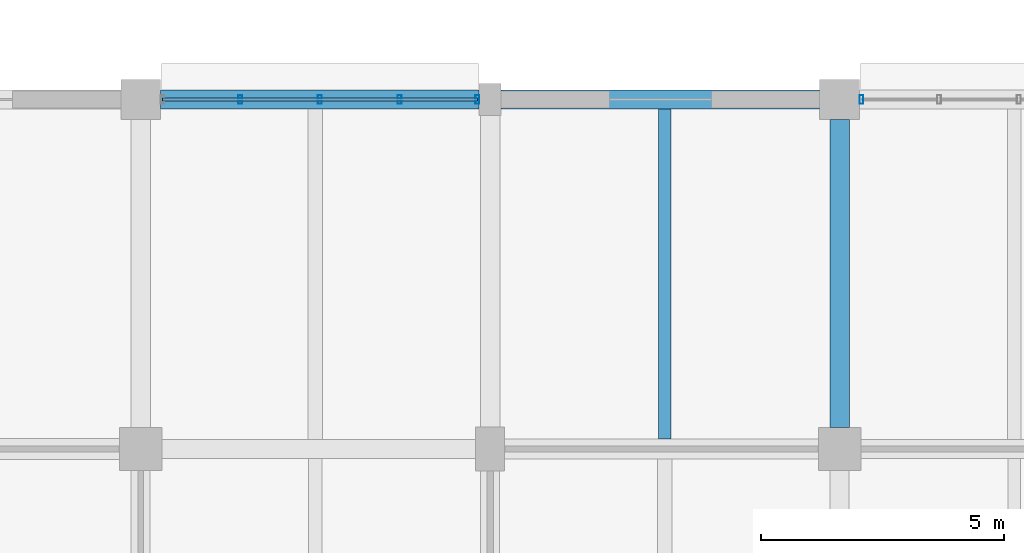
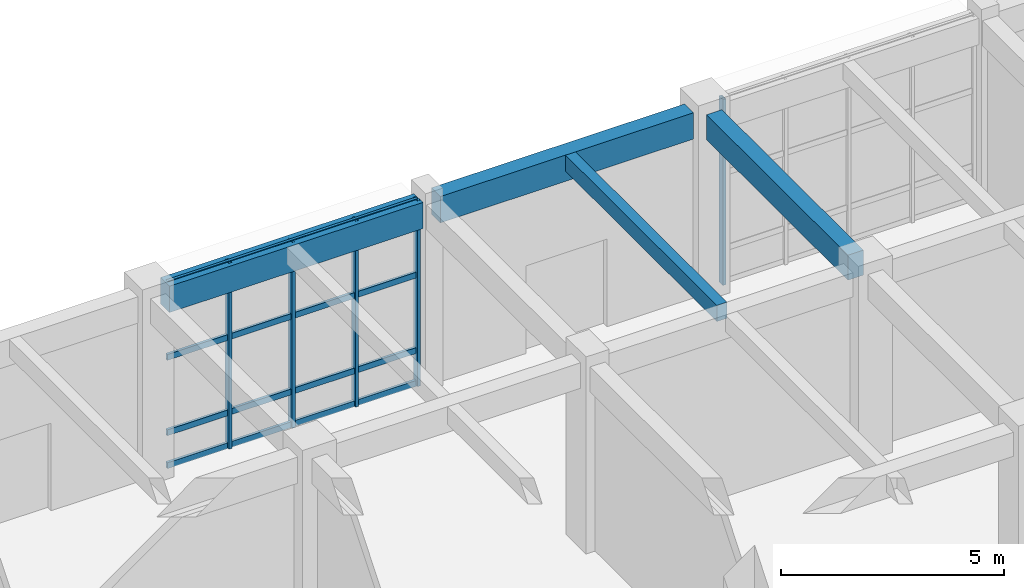
# One storey, part 90 of 160: 9 members, 4 beams, 2 elements without a shape of their own.
"""IFC4 building model written with IfcOpenShell, lengths in metres."""

from ifc_helpers import new_model, si_unit, direction, frame, origin, origin_2d, place, context, subcontext, project, spatial, rectangle, hollow_rectangle, extrude, material, material_profile, profile_set, type_object, element, aggregate, save


model = new_model("IFC4")

# Units and contexts
model_context = context("Model", 3, precision=1e-05, world=origin(), true_north=direction((0.0, 1.0)))
body_context = subcontext(model_context, "Body", "Model", "MODEL_VIEW")
ifc_project = project(units=[si_unit("LENGTHUNIT", "METRE"), si_unit("AREAUNIT", "SQUARE_METRE"), si_unit("VOLUMEUNIT", "CUBIC_METRE"), si_unit("PLANEANGLEUNIT", "RADIAN"), si_unit("MASSUNIT", "GRAM", prefix="KILO")], contexts=[model_context])

# Site, building, storey
site_placement = place(None, origin())
site = spatial("IfcSite", under=ifc_project, at=site_placement, CompositionType="ELEMENT")
building_placement = place(site_placement, origin())
building = spatial("IfcBuilding", under=site, at=building_placement, Name="Thalmaran Polytechnic", CompositionType="ELEMENT")
storey_placement = place(building_placement, origin())
storey = spatial("IfcBuildingStorey", under=building, at=storey_placement, Name="L00", CompositionType="ELEMENT", Elevation=0.0)

# Beams
ifc_material_1 = material(Name="Concrete C40/50", Category="concrete")
ifc_material_profile_1 = material_profile(ifc_material_1, rectangle(XDim=0.39990234375, YDim=0.719970703125, at=origin_2d()), Name="RC 400x720")
ifc_profile_set_1 = profile_set([ifc_material_profile_1], Name="Concrete C40/50")
beam_type_1 = type_object("IfcBeamType", Name="BM-SP01", PredefinedType="SPANDREL", material=ifc_profile_set_1)
beam_1_placement = place(storey_placement, frame((108.409912109375, 122.39990234375, 4.72998046875), z_axis=(1.0, 0.0, 0.0), x_axis=(0.0, 1.0, 0.0)))
element("IfcBeam", 1, at=beam_1_placement, inside=storey, type_object=beam_type_1, Name="Grid Beam SP01 L00 X(15,17)", PredefinedType="SPANDREL", context=body_context, shape_type="SweptSolid", body=[
    extrude(rectangle(XDim=0.39990234375, YDim=0.719970703125, at=origin_2d()), origin(), (0.0, 0.0, 1.0), 6.565185546875),
])
beam_2_placement = place(storey_placement, frame((115.425048828125, 122.39990234375, 4.72998046875), z_axis=(1.0, 0.0, 0.0), x_axis=(0.0, 1.0, 0.0)))
element("IfcBeam", 2, at=beam_2_placement, inside=storey, type_object=beam_type_1, Name="Grid Beam SP01 L00 X(16,17)", PredefinedType="SPANDREL", context=body_context, shape_type="SweptSolid", body=[
    extrude(rectangle(XDim=0.39990234375, YDim=0.719970703125, at=origin_2d()), origin(), (0.0, 0.0, 1.0), 6.56494140625),
])
ifc_material_profile_2 = material_profile(ifc_material_1, rectangle(XDim=0.39990234375, YDim=0.68505859375, at=origin_2d()), Name="RC 400x685")
ifc_profile_set_2 = profile_set([ifc_material_profile_2], Name="Concrete C40/50")
beam_type_2 = type_object("IfcBeamType", Name="BM-ZB07", PredefinedType="BEAM", material=ifc_profile_set_2)
beam_3_placement = place(storey_placement, frame((122.39990234375, 115.639892578125, 4.74755859375), z_axis=(0.0, 1.0, 0.0), x_axis=(-1.0, 0.0, 0.0)))
element("IfcBeam", 3, at=beam_3_placement, inside=storey, type_object=beam_type_2, Name="Grid Beam ZB07 L00 Y(17,16)", PredefinedType="BEAM", context=body_context, shape_type="SweptSolid", body=[
    extrude(rectangle(XDim=0.39990234375, YDim=0.68505859375, at=origin_2d()), origin(), (0.0, 0.0, 1.0), 6.35009765625),
])
ifc_material_profile_3 = material_profile(ifc_material_1, rectangle(XDim=0.260009765625, YDim=0.43994140625, at=origin_2d()), Name="RC 260x440")
ifc_profile_set_3 = profile_set([ifc_material_profile_3], Name="Concrete C40/50")
beam_type_3 = type_object("IfcBeamType", Name="BM-ZJ02", PredefinedType="JOIST", material=ifc_profile_set_3)
beam_4_placement = place(storey_placement, frame((118.800048828125, 115.409912109375, 4.8701171875), z_axis=(0.0, 1.0, 0.0), x_axis=(-1.0, 0.0, 0.0)))
element("IfcBeam", 4, at=beam_4_placement, inside=storey, type_object=beam_type_3, Name="Secondary Floor Rib ZJ02 L00 (16,16)", PredefinedType="JOIST", context=body_context, shape_type="SweptSolid", body=[
    extrude(rectangle(XDim=0.260009765625, YDim=0.43994140625, at=origin_2d()), origin(), (0.0, 0.0, 1.0), 6.7900390625),
])

# Curtain wall, members
ifc_material_2 = material(Name="Aluminium 6063-T6", Category="aluminium")
curtain_wall_type = type_object("IfcCurtainWallType", Name="CW-UC01", PredefinedType="USERDEFINED", material=ifc_material_2)
curtain_wall_1_placement = place(storey_placement, origin())
curtain_wall_1 = element("IfcCurtainWall", 5, at=curtain_wall_1_placement, inside=storey, type_object=curtain_wall_type, Name="Curtain Wall CW-L00-009", ObjectType="UNITISED CURTAIN WALL", PredefinedType="USERDEFINED")
ifc_material_profile_4 = material_profile(ifc_material_2, hollow_rectangle(XDim=0.080078125, YDim=0.179931640625, WallThickness=0.0048828125, at=origin_2d()), Name="RHS 180x80x5.0")
ifc_profile_set_4 = profile_set([ifc_material_profile_4], Name="Aluminium 6063-T6")
member_type_1 = type_object("IfcMemberType", Name="CW-MUL1", PredefinedType="MULLION", material=ifc_profile_set_4)
member_1_placement = place(storey_placement, frame((110.05126953125, 122.39990234375, 0.0), z_axis=(0.0, 0.0, 1.0), x_axis=(1.0, 0.0, 0.0)))
member_1 = element("IfcMember", 6, at=member_1_placement, type_object=member_type_1, Name="CW-L00-009 Mullion 2", PredefinedType="MULLION", context=body_context, shape_type="SweptSolid", body=[
    extrude(hollow_rectangle(XDim=0.080078125, YDim=0.179931640625, WallThickness=0.0048828125, at=origin_2d()), origin(), (0.0, 0.0, 1.0), 5.090087890625),
])
member_2_placement = place(storey_placement, frame((111.6923828125, 122.39990234375, 0.0), z_axis=(0.0, 0.0, 1.0), x_axis=(1.0, 0.0, 0.0)))
member_2 = element("IfcMember", 7, at=member_2_placement, type_object=member_type_1, Name="CW-L00-009 Mullion 3", PredefinedType="MULLION", context=body_context, shape_type="SweptSolid", body=[
    extrude(hollow_rectangle(XDim=0.080078125, YDim=0.179931640625, WallThickness=0.0048828125, at=origin_2d()), origin(), (0.0, 0.0, 1.0), 5.090087890625),
])
member_3_placement = place(storey_placement, frame((113.333740234375, 122.39990234375, 0.0), z_axis=(0.0, 0.0, 1.0), x_axis=(1.0, 0.0, 0.0)))
member_3 = element("IfcMember", 8, at=member_3_placement, type_object=member_type_1, Name="CW-L00-009 Mullion 4", PredefinedType="MULLION", context=body_context, shape_type="SweptSolid", body=[
    extrude(hollow_rectangle(XDim=0.080078125, YDim=0.179931640625, WallThickness=0.0048828125, at=origin_2d()), origin(), (0.0, 0.0, 1.0), 5.090087890625),
])
member_4_placement = place(storey_placement, frame((114.93505859375, 122.39990234375, 0.0), z_axis=(0.0, 0.0, 1.0), x_axis=(1.0, 0.0, 0.0)))
member_4 = element("IfcMember", 9, at=member_4_placement, type_object=member_type_1, Name="CW-L00-009 Mullion 5", PredefinedType="MULLION", context=body_context, shape_type="SweptSolid", body=[
    extrude(hollow_rectangle(XDim=0.080078125, YDim=0.179931640625, WallThickness=0.0048828125, at=origin_2d()), origin(), (0.0, 0.0, 1.0), 5.090087890625),
])

# Curtain wall, member
curtain_wall_2_placement = place(storey_placement, origin())
curtain_wall_2 = element("IfcCurtainWall", 10, at=curtain_wall_2_placement, inside=storey, type_object=curtain_wall_type, Name="Curtain Wall CW-L00-010", ObjectType="UNITISED CURTAIN WALL", PredefinedType="USERDEFINED")
member_5_placement = place(storey_placement, frame((122.85009765625, 122.39990234375, 0.0), z_axis=(0.0, 0.0, 1.0), x_axis=(1.0, 0.0, 0.0)))
member_5 = element("IfcMember", 11, at=member_5_placement, type_object=member_type_1, Name="CW-L00-010 Mullion 1", PredefinedType="MULLION", context=body_context, shape_type="SweptSolid", body=[
    extrude(hollow_rectangle(XDim=0.080078125, YDim=0.179931640625, WallThickness=0.0048828125, at=origin_2d()), origin(), (0.0, 0.0, 1.0), 5.090087890625),
])
aggregate(curtain_wall_2, [member_5])

# Member
ifc_material_profile_5 = material_profile(ifc_material_2, hollow_rectangle(XDim=0.070068359375, YDim=0.159912109375, WallThickness=0.00390625, at=origin_2d()), Name="AL 160x70x4.0")
ifc_profile_set_5 = profile_set([ifc_material_profile_5], Name="Aluminium 6063-T6")
member_type_2 = type_object("IfcMemberType", Name="CW-TRN1", PredefinedType="USERDEFINED", material=ifc_profile_set_5)
member_6_placement = place(storey_placement, frame((108.449951171875, 122.39990234375, 0.06005859375), z_axis=(1.0, 0.0, 0.0), x_axis=(0.0, 1.0, 0.0)))
member_6 = element("IfcMember", 12, at=member_6_placement, type_object=member_type_2, Name="CW-L00-009 Transom 1", ObjectType="TRANSOM", PredefinedType="USERDEFINED", context=body_context, shape_type="SweptSolid", body=[
    extrude(hollow_rectangle(XDim=0.070068359375, YDim=0.159912109375, WallThickness=0.00390625, at=origin_2d()), origin(), (0.0, 0.0, 1.0), 6.485107421875),
])

member_7_placement = place(storey_placement, frame((108.449951171875, 122.39990234375, 0.9599609375), z_axis=(1.0, 0.0, 0.0), x_axis=(0.0, 1.0, 0.0)))
member_7 = element("IfcMember", 13, at=member_7_placement, type_object=member_type_2, Name="CW-L00-009 Transom 2", ObjectType="TRANSOM", PredefinedType="USERDEFINED", context=body_context, shape_type="SweptSolid", body=[
    extrude(hollow_rectangle(XDim=0.070068359375, YDim=0.159912109375, WallThickness=0.00390625, at=origin_2d()), origin(), (0.0, 0.0, 1.0), 6.485107421875),
])

member_8_placement = place(storey_placement, frame((108.449951171875, 122.39990234375, 3.02490234375), z_axis=(1.0, 0.0, 0.0), x_axis=(0.0, 1.0, 0.0)))
member_8 = element("IfcMember", 14, at=member_8_placement, type_object=member_type_2, Name="CW-L00-009 Transom 3", ObjectType="TRANSOM", PredefinedType="USERDEFINED", context=body_context, shape_type="SweptSolid", body=[
    extrude(hollow_rectangle(XDim=0.070068359375, YDim=0.159912109375, WallThickness=0.00390625, at=origin_2d()), origin(), (0.0, 0.0, 1.0), 6.485107421875),
])

member_9_placement = place(storey_placement, frame((108.449951171875, 122.39990234375, 5.030029296875), z_axis=(1.0, 0.0, 0.0), x_axis=(0.0, 1.0, 0.0)))
member_9 = element("IfcMember", 15, at=member_9_placement, type_object=member_type_2, Name="CW-L00-009 Transom 4", ObjectType="TRANSOM", PredefinedType="USERDEFINED", context=body_context, shape_type="SweptSolid", body=[
    extrude(hollow_rectangle(XDim=0.070068359375, YDim=0.159912109375, WallThickness=0.00390625, at=origin_2d()), origin(), (0.0, 0.0, 1.0), 6.485107421875),
])

aggregate(curtain_wall_1, [member_1, member_2, member_3, member_4, member_6, member_7, member_8, member_9])

save(model, "model.ifc")
